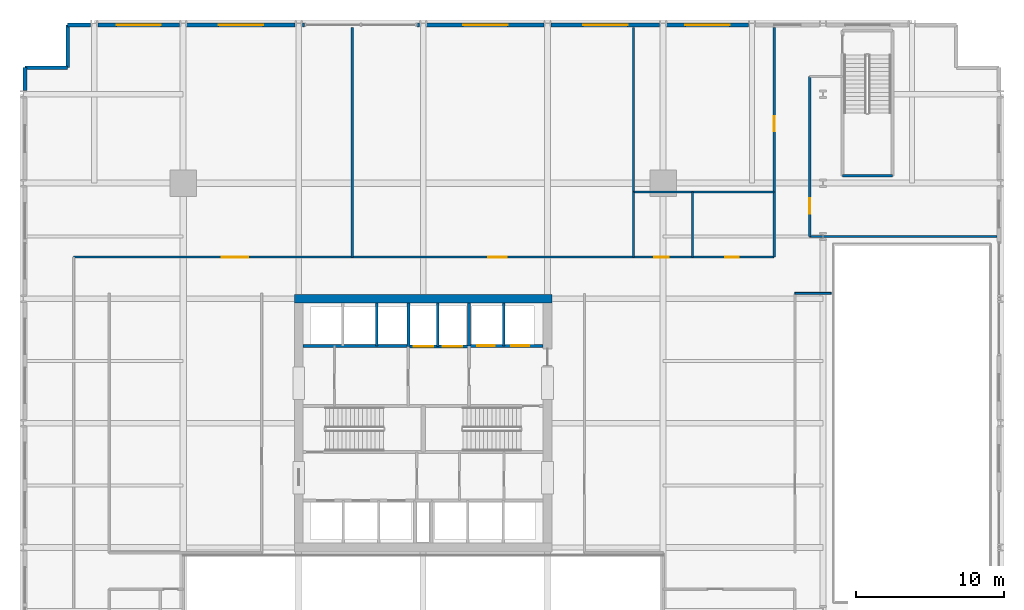
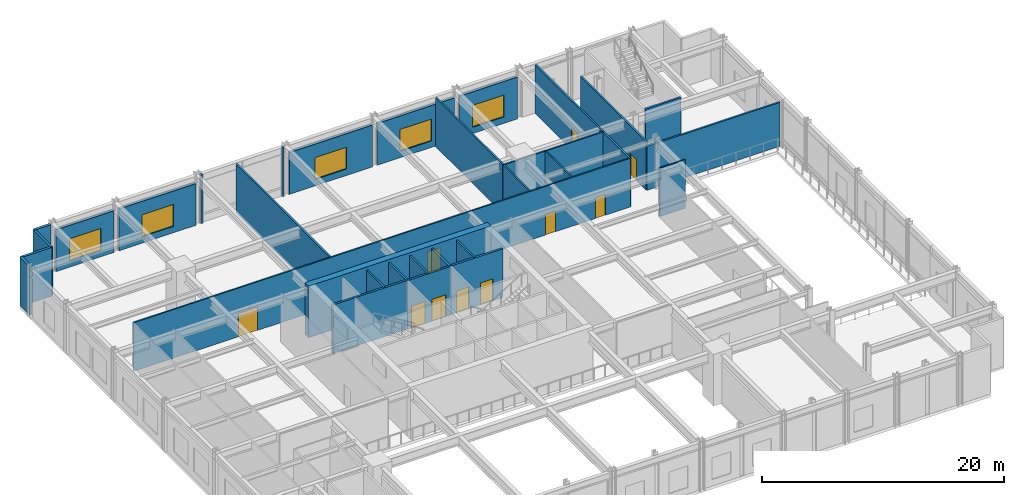
# One storey, part 13 of 19: 31 walls, 10 doors, 5 windows, 15 openings.
"""IFC4 building model written with IfcOpenShell, lengths in metres."""

from ifc_helpers import new_model, si_unit, direction, frame, frame_2d, origin, place, context, subcontext, project, spatial, rectangle, extrude, material, layer, layer_set, type_object, element, fill, save


model = new_model("IFC4")

# Units and contexts
model_context = context("Model", 3, precision=1e-05, world=origin(), true_north=direction((0.0, 1.0)))
body_context = subcontext(model_context, "Body", "Model", "MODEL_VIEW")
ifc_project = project(units=[si_unit("LENGTHUNIT", "METRE"), si_unit("AREAUNIT", "SQUARE_METRE"), si_unit("VOLUMEUNIT", "CUBIC_METRE"), si_unit("PLANEANGLEUNIT", "RADIAN"), si_unit("MASSUNIT", "GRAM", prefix="KILO")], contexts=[model_context])

# Site, building, storey
site_placement = place(None, origin())
site = spatial("IfcSite", under=ifc_project, at=site_placement, CompositionType="ELEMENT")
building_placement = place(site_placement, origin())
building = spatial("IfcBuilding", under=site, at=building_placement, Name="Drelvath Grand Hotel", CompositionType="ELEMENT")
storey_placement = place(building_placement, frame((0.0, 0.0, 17.199951171875)))
storey = spatial("IfcBuildingStorey", under=building, at=storey_placement, Name="L03", CompositionType="ELEMENT", Elevation=17.199951171875)

# Wall, openings, doors
ifc_material_1 = material(Name="Concrete C40/50", Category="concrete")
ifc_layer_1 = layer(ifc_material_1, 0.199951171875)
ifc_layer_set_1 = layer_set([ifc_layer_1], Name="Concrete C40/50")
wall_type_1 = type_object("IfcWallType", Name="Core Hoistway Fire Wall 200", PredefinedType="SOLIDWALL", material=ifc_layer_set_1)
wall_1_placement = place(storey_placement, frame((3.10009765625, 32.219970703125, 0.0), z_axis=(0.0, 0.0, 1.0), x_axis=(1.0, 0.0, 0.0)))
wall_1 = element("IfcWall", 1, at=wall_1_placement, inside=storey, type_object=wall_type_1, Name="L03 FSAE Hoistway Front Wall", PredefinedType="SOLIDWALL", context=body_context, shape_type="SweptSolid", body=[
    extrude(rectangle(XDim=5.0, YDim=0.199951171875, at=frame_2d((2.5, 0.0))), origin(), (0.0, 0.0, 1.0), 4.900146484375),
])
opening_1_placement = place(wall_1_placement, frame((0.550048828125, 0.0, 0.0)))
opening_1 = element("IfcOpeningElement", 2, at=opening_1_placement, cuts=wall_1, Name="Opening LD-FSAE-1", PredefinedType="OPENING", context=body_context, shape_type="SweptSolid", body=[
    extrude(rectangle(XDim=1.199951171875, YDim=2.199951171875, at=frame_2d((0.60009765625, 1.10009765625))), frame((0.0, 0.10986328125, 0.0), z_axis=(0.0, -1.0, 0.0), x_axis=(1.0, 0.0, 0.0)), (0.0, 0.0, 1.0), 0.219970703125),
])
opening_2_placement = place(wall_1_placement, frame((2.85009765625, 0.0, 0.0)))
opening_2 = element("IfcOpeningElement", 3, at=opening_2_placement, cuts=wall_1, Name="Opening LD-FSAE-2", PredefinedType="OPENING", context=body_context, shape_type="SweptSolid", body=[
    extrude(rectangle(XDim=1.199951171875, YDim=2.199951171875, at=frame_2d((0.60009765625, 1.10009765625))), frame((0.0, 0.10986328125, 0.0), z_axis=(0.0, -1.0, 0.0), x_axis=(1.0, 0.0, 0.0)), (0.0, 0.0, 1.0), 0.219970703125),
])
ifc_material_2 = material(Name="Stainless Steel S355", Category="steel")
door_type_1 = type_object("IfcDoorType", Name="FSAE Lift Sliding Landing Door 1200x2200", OperationType="NOTDEFINED", PredefinedType="DOOR", material=ifc_material_2)
door_1_placement = place(opening_1_placement, origin())
door_1 = element("IfcDoor", 4, at=door_1_placement, inside=storey, type_object=door_type_1, Name="L03 Lift FSAE-1 Landing Door", OperationType="SLIDING_TO_LEFT", OverallHeight=2.199951171875, OverallWidth=1.199951171875, PredefinedType="DOOR", context=body_context, shape_type="SweptSolid", body=[
    extrude(rectangle(XDim=1.199951171875, YDim=2.199951171875, at=frame_2d((0.60009765625, 1.10009765625))), frame((0.0, 0.02490234375, 0.0), z_axis=(0.0, -1.0, 0.0), x_axis=(1.0, 0.0, 0.0)), (0.0, 0.0, 1.0), 0.050048828125),
])
fill(opening_1, door_1)
door_2_placement = place(opening_2_placement, origin())
door_2 = element("IfcDoor", 5, at=door_2_placement, inside=storey, type_object=door_type_1, Name="L03 Lift FSAE-2 Landing Door", OperationType="SLIDING_TO_LEFT", OverallHeight=2.199951171875, OverallWidth=1.199951171875, PredefinedType="DOOR", context=body_context, shape_type="SweptSolid", body=[
    extrude(rectangle(XDim=1.199951171875, YDim=2.199951171875, at=frame_2d((0.60009765625, 1.10009765625))), frame((0.0, 0.02490234375, 0.0), z_axis=(0.0, -1.0, 0.0), x_axis=(1.0, 0.0, 0.0)), (0.0, 0.0, 1.0), 0.050048828125),
])
fill(opening_2, door_2)

# Wall
wall_2_placement = place(storey_placement, frame((3.10009765625, 32.219970703125, 0.0), z_axis=(0.0, 0.0, 1.0), x_axis=(0.0, 1.0, 0.0)))
element("IfcWall", 6, at=wall_2_placement, inside=storey, type_object=wall_type_1, Name="L03 FSAE Hoistway West Wall", PredefinedType="SOLIDWALL", context=body_context, shape_type="SweptSolid", body=[
    extrude(rectangle(XDim=2.880126953125, YDim=0.199951171875, at=frame_2d((1.43994140625, 0.0))), origin(), (0.0, 0.0, 1.0), 4.900146484375),
])

# Wall, openings, doors
wall_3_placement = place(storey_placement, frame((-1.0, 32.179931640625, 0.0), z_axis=(0.0, 0.0, 1.0), x_axis=(1.0, 0.0, 0.0)))
wall_3 = element("IfcWall", 7, at=wall_3_placement, inside=storey, type_object=wall_type_1, Name="L03 Service Lift Hoistway Wall", PredefinedType="SOLIDWALL", context=body_context, shape_type="SweptSolid", body=[
    extrude(rectangle(XDim=4.10009765625, YDim=0.199951171875, at=frame_2d((2.050048828125, 0.0))), origin(), (0.0, 0.0, 1.0), 4.900146484375),
])
opening_3_placement = place(wall_3_placement, frame((0.3701171875, 0.0, 0.0)))
opening_3 = element("IfcOpeningElement", 8, at=opening_3_placement, cuts=wall_3, Name="Opening LD-SV-2", PredefinedType="OPENING", context=body_context, shape_type="SweptSolid", body=[
    extrude(rectangle(XDim=1.300048828125, YDim=2.199951171875, at=frame_2d((0.64990234375, 1.10009765625))), frame((0.0, 0.10986328125, 0.0), z_axis=(0.0, -1.0, 0.0), x_axis=(1.0, 0.0, 0.0)), (0.0, 0.0, 1.0), 0.219970703125),
])
opening_4_placement = place(wall_3_placement, frame((2.330078125, 0.0, 0.0)))
opening_4 = element("IfcOpeningElement", 9, at=opening_4_placement, cuts=wall_3, Name="Opening LD-SV-1", PredefinedType="OPENING", context=body_context, shape_type="SweptSolid", body=[
    extrude(rectangle(XDim=1.300048828125, YDim=2.199951171875, at=frame_2d((0.64990234375, 1.10009765625))), frame((0.0, 0.10986328125, 0.0), z_axis=(0.0, -1.0, 0.0), x_axis=(1.0, 0.0, 0.0)), (0.0, 0.0, 1.0), 0.219970703125),
])
door_type_2 = type_object("IfcDoorType", Name="Service Lift Sliding Landing Door 1300x2200", OperationType="NOTDEFINED", PredefinedType="DOOR", material=ifc_material_2)
door_3_placement = place(opening_3_placement, origin())
door_3 = element("IfcDoor", 10, at=door_3_placement, inside=storey, type_object=door_type_2, Name="L03 Lift SV-2 Landing Door", OperationType="SLIDING_TO_LEFT", OverallHeight=2.199951171875, OverallWidth=1.300048828125, PredefinedType="DOOR", context=body_context, shape_type="SweptSolid", body=[
    extrude(rectangle(XDim=1.300048828125, YDim=2.199951171875, at=frame_2d((0.64990234375, 1.10009765625))), frame((0.0, 0.02490234375, 0.0), z_axis=(0.0, -1.0, 0.0), x_axis=(1.0, 0.0, 0.0)), (0.0, 0.0, 1.0), 0.050048828125),
])
fill(opening_3, door_3)
door_4_placement = place(opening_4_placement, origin())
door_4 = element("IfcDoor", 11, at=door_4_placement, inside=storey, type_object=door_type_2, Name="L03 Lift SV-1 Landing Door", OperationType="SLIDING_TO_LEFT", OverallHeight=2.199951171875, OverallWidth=1.300048828125, PredefinedType="DOOR", context=body_context, shape_type="SweptSolid", body=[
    extrude(rectangle(XDim=1.300048828125, YDim=2.199951171875, at=frame_2d((0.64990234375, 1.10009765625))), frame((0.0, 0.02490234375, 0.0), z_axis=(0.0, -1.0, 0.0), x_axis=(1.0, 0.0, 0.0)), (0.0, 0.0, 1.0), 0.050048828125),
])
fill(opening_4, door_4)

# Walls
wall_4_placement = place(storey_placement, frame((-1.0, 32.179931640625, 0.0), z_axis=(0.0, 0.0, 1.0), x_axis=(0.0, 1.0, 0.0)))
element("IfcWall", 12, at=wall_4_placement, inside=storey, type_object=wall_type_1, Name="L03 Service Lift West Wall", PredefinedType="SOLIDWALL", context=body_context, shape_type="SweptSolid", body=[
    extrude(rectangle(XDim=2.920166015625, YDim=0.199951171875, at=frame_2d((1.4599609375, 0.0))), origin(), (0.0, 0.0, 1.0), 4.900146484375),
])
wall_5_placement = place(storey_placement, frame((-8.10009765625, 32.219970703125, 0.0), z_axis=(0.0, 0.0, 1.0), x_axis=(1.0, 0.0, 0.0)))
element("IfcWall", 13, at=wall_5_placement, inside=storey, type_object=wall_type_1, Name="L03 Bank 3 Hoistway Wall", PredefinedType="SOLIDWALL", context=body_context, shape_type="SweptSolid", body=[
    extrude(rectangle(XDim=7.10009765625, YDim=0.199951171875, at=frame_2d((3.550048828125, 0.0))), origin(), (0.0, 0.0, 1.0), 4.900146484375),
])
ifc_layer_2 = layer(ifc_material_1, 0.199951171875)
ifc_layer_set_2 = layer_set([ifc_layer_2], Name="Concrete C40/50")
wall_type_2 = type_object("IfcWallType", Name="Core Shaft Fire Wall 200", PredefinedType="SOLIDWALL", material=ifc_layer_set_2)
wall_6_placement = place(storey_placement, frame((28.320068359375, 43.699951171875, 0.0), z_axis=(0.0, 0.0, 1.0), x_axis=(1.0, 0.0, 0.0)))
element("IfcWall", 14, at=wall_6_placement, inside=storey, type_object=wall_type_2, Name="L03 Stair ST-4 South Wall", PredefinedType="SOLIDWALL", context=body_context, shape_type="SweptSolid", body=[
    extrude(rectangle(XDim=3.35986328125, YDim=0.199951171875, at=frame_2d((1.679931640625, 0.0))), origin(), (0.0, 0.0, 1.0), 4.900146484375),
])
ifc_material_3 = material(Name="Gypsum Fireboard Partition")
ifc_layer_3 = layer(ifc_material_3, 0.1650390625)
ifc_layer_set_3 = layer_set([ifc_layer_3], Name="Gypsum Fireboard Partition")
wall_type_3 = type_object("IfcWallType", Name="Core Shaft Partition 165", PredefinedType="PARTITIONING", material=ifc_layer_set_3)
wall_7_placement = place(storey_placement, frame((5.449951171875, 32.219970703125, 0.0), z_axis=(0.0, 0.0, 1.0), x_axis=(0.0, 1.0, 0.0)))
element("IfcWall", 15, at=wall_7_placement, inside=storey, type_object=wall_type_3, Name="L03 FSAE Hoistway Divider", PredefinedType="PARTITIONING", context=body_context, shape_type="SweptSolid", body=[
    extrude(rectangle(XDim=2.880126953125, YDim=0.1650390625, at=frame_2d((1.43994140625, 0.0))), origin(), (0.0, 0.0, 1.0), 4.900146484375),
])
wall_8_placement = place(storey_placement, frame((1.0, 32.179931640625, 0.0), z_axis=(0.0, 0.0, 1.0), x_axis=(0.0, 1.0, 0.0)))
element("IfcWall", 16, at=wall_8_placement, inside=storey, type_object=wall_type_3, Name="L03 Service Lift Divider", PredefinedType="PARTITIONING", context=body_context, shape_type="SweptSolid", body=[
    extrude(rectangle(XDim=2.920166015625, YDim=0.1650390625, at=frame_2d((1.4599609375, 0.0))), origin(), (0.0, 0.0, 1.0), 4.900146484375),
])
wall_9_placement = place(storey_placement, frame((-3.1201171875, 32.219970703125, 0.0), z_axis=(0.0, 0.0, 1.0), x_axis=(0.0, 1.0, 0.0)))
element("IfcWall", 17, at=wall_9_placement, inside=storey, type_object=wall_type_3, Name="L03 Lift PE-8/9 Divider", PredefinedType="PARTITIONING", context=body_context, shape_type="SweptSolid", body=[
    extrude(rectangle(XDim=2.880126953125, YDim=0.1650390625, at=frame_2d((1.43994140625, 0.0))), origin(), (0.0, 0.0, 1.0), 4.900146484375),
])

# Wall, openings, doors
ifc_layer_4 = layer(ifc_material_3, 0.135009765625)
ifc_layer_set_4 = layer_set([ifc_layer_4], Name="Gypsum Fireboard Partition")
wall_type_4 = type_object("IfcWallType", Name="Corridor Fire Barrier Wall 135", PredefinedType="PARTITIONING", material=ifc_layer_set_4)
wall_10_placement = place(storey_placement, frame((-23.60009765625, 38.199951171875, 0.0), z_axis=(0.0, 0.0, 1.0), x_axis=(1.0, 0.0, 0.0)))
wall_10 = element("IfcWall", 18, at=wall_10_placement, inside=storey, type_object=wall_type_4, Name="L03 North Gallery Wall", PredefinedType="PARTITIONING", context=body_context, shape_type="SweptSolid", body=[
    extrude(rectangle(XDim=47.300048828125, YDim=0.135009765625, at=frame_2d((23.64990234375, 0.0))), origin(), (0.0, 0.0, 1.0), 4.900146484375),
])
opening_5_placement = place(wall_10_placement, frame((39.199951171875, 0.0, 0.0)))
opening_5 = element("IfcOpeningElement", 19, at=opening_5_placement, cuts=wall_10, Name="Opening D-L03-021", PredefinedType="OPENING", context=body_context, shape_type="SweptSolid", body=[
    extrude(rectangle(XDim=0.97998046875, YDim=2.10009765625, at=frame_2d((0.489990234375, 1.050048828125))), frame((0.0, 0.077392578125, 0.0), z_axis=(0.0, -1.0, 0.0), x_axis=(1.0, 0.0, 0.0)), (0.0, 0.0, 1.0), 0.155029296875),
])
opening_6_placement = place(wall_10_placement, frame((44.0, 0.0, 0.0)))
opening_6 = element("IfcOpeningElement", 20, at=opening_6_placement, cuts=wall_10, Name="Opening D-L03-022", PredefinedType="OPENING", context=body_context, shape_type="SweptSolid", body=[
    extrude(rectangle(XDim=0.919921875, YDim=2.10009765625, at=frame_2d((0.4599609375, 1.050048828125))), frame((0.0, 0.077392578125, 0.0), z_axis=(0.0, -1.0, 0.0), x_axis=(1.0, 0.0, 0.0)), (0.0, 0.0, 1.0), 0.155029296875),
])
opening_7_placement = place(wall_10_placement, frame((10.0, 0.0, 0.0)))
opening_7 = element("IfcOpeningElement", 21, at=opening_7_placement, cuts=wall_10, Name="Opening D-L03-027", PredefinedType="OPENING", context=body_context, shape_type="SweptSolid", body=[
    extrude(rectangle(XDim=1.800048828125, YDim=2.35009765625, at=frame_2d((0.89990234375, 1.175048828125))), frame((0.0, 0.077392578125, 0.0), z_axis=(0.0, -1.0, 0.0), x_axis=(1.0, 0.0, 0.0)), (0.0, 0.0, 1.0), 0.155029296875),
])
opening_8_placement = place(wall_10_placement, frame((28.0, 0.0, 0.0)))
opening_8 = element("IfcOpeningElement", 22, at=opening_8_placement, cuts=wall_10, Name="Opening D-L03-028", PredefinedType="OPENING", context=body_context, shape_type="SweptSolid", body=[
    extrude(rectangle(XDim=1.260009765625, YDim=2.199951171875, at=frame_2d((0.6298828125, 1.10009765625))), frame((0.0, 0.077392578125, 0.0), z_axis=(0.0, -1.0, 0.0), x_axis=(1.0, 0.0, 0.0)), (0.0, 0.0, 1.0), 0.155029296875),
])
ifc_material_4 = material(Name="Hardwood Walnut Timber", Category="wood")
door_type_3 = type_object("IfcDoorType", Name="Accessible WC Door 980x2100", OperationType="NOTDEFINED", PredefinedType="DOOR", material=ifc_material_4)
door_5_placement = place(opening_5_placement, origin())
door_5 = element("IfcDoor", 23, at=door_5_placement, inside=storey, type_object=door_type_3, Name="L03 Accessible WC Door", OperationType="SINGLE_SWING_RIGHT", OverallHeight=2.10009765625, OverallWidth=0.97998046875, PredefinedType="DOOR", context=body_context, shape_type="SweptSolid", body=[
    extrude(rectangle(XDim=0.97998046875, YDim=2.10009765625, at=frame_2d((0.489990234375, 1.050048828125))), frame((0.0, 0.02490234375, 0.0), z_axis=(0.0, -1.0, 0.0), x_axis=(1.0, 0.0, 0.0)), (0.0, 0.0, 1.0), 0.050048828125),
])
fill(opening_5, door_5)
ifc_material_5 = material(Name="Hardwood Bronze-Clad Timber", Category="wood")
door_type_4 = type_object("IfcDoorType", Name="Assembly Double Fire Door 1800x2350", OperationType="NOTDEFINED", PredefinedType="DOOR", material=ifc_material_5)
door_6_placement = place(opening_7_placement, origin())
door_6 = element("IfcDoor", 24, at=door_6_placement, inside=storey, type_object=door_type_4, Name="L03 Junior Ballroom Door", OperationType="DOUBLE_DOOR_SINGLE_SWING", OverallHeight=2.35009765625, OverallWidth=1.800048828125, PredefinedType="DOOR", context=body_context, shape_type="SweptSolid", body=[
    extrude(rectangle(XDim=1.800048828125, YDim=2.35009765625, at=frame_2d((0.89990234375, 1.175048828125))), frame((0.0, 0.02490234375, 0.0), z_axis=(0.0, -1.0, 0.0), x_axis=(1.0, 0.0, 0.0)), (0.0, 0.0, 1.0), 0.050048828125),
])
fill(opening_7, door_6)
ifc_material_6 = material(Name="Painted Steel S275", Category="steel")
door_type_5 = type_object("IfcDoorType", Name="Staff Utility Door 920x2100", OperationType="NOTDEFINED", PredefinedType="DOOR", material=ifc_material_6)
door_7_placement = place(opening_6_placement, origin())
door_7 = element("IfcDoor", 25, at=door_7_placement, inside=storey, type_object=door_type_5, Name="L03 Public Restroom Door", OperationType="SINGLE_SWING_LEFT", OverallHeight=2.10009765625, OverallWidth=0.919921875, PredefinedType="DOOR", context=body_context, shape_type="SweptSolid", body=[
    extrude(rectangle(XDim=0.919921875, YDim=2.10009765625, at=frame_2d((0.4599609375, 1.050048828125))), frame((0.0, 0.02490234375, 0.0), z_axis=(0.0, -1.0, 0.0), x_axis=(1.0, 0.0, 0.0)), (0.0, 0.0, 1.0), 0.050048828125),
])
fill(opening_6, door_7)
door_type_6 = type_object("IfcDoorType", Name="Suite Entrance Fire Door 1260x2200", OperationType="NOTDEFINED", PredefinedType="DOOR", material=ifc_material_4)
door_8_placement = place(opening_8_placement, origin())
door_8 = element("IfcDoor", 26, at=door_8_placement, inside=storey, type_object=door_type_6, Name="L03 Conference Room Door", OperationType="SINGLE_SWING_RIGHT", OverallHeight=2.199951171875, OverallWidth=1.260009765625, PredefinedType="DOOR", context=body_context, shape_type="SweptSolid", body=[
    extrude(rectangle(XDim=1.260009765625, YDim=2.199951171875, at=frame_2d((0.6298828125, 1.10009765625))), frame((0.0, 0.02490234375, 0.0), z_axis=(0.0, -1.0, 0.0), x_axis=(1.0, 0.0, 0.0)), (0.0, 0.0, 1.0), 0.050048828125),
])
fill(opening_8, door_8)

# Walls
wall_11_placement = place(storey_placement, frame((25.10009765625, 35.760009765625, 0.0), z_axis=(0.0, 0.0, 1.0), x_axis=(1.0, 0.0, 0.0)))
element("IfcWall", 27, at=wall_11_placement, inside=storey, type_object=wall_type_4, Name="L03 NE Atrium Promenade Return", PredefinedType="PARTITIONING", context=body_context, shape_type="SweptSolid", body=[
    extrude(rectangle(XDim=2.449951171875, YDim=0.135009765625, at=frame_2d((1.22509765625, 0.0))), origin(), (0.0, 0.0, 1.0), 4.900146484375),
])
ifc_material_7 = material(Name="Moisture-Resistant Gypsum Board")
ifc_layer_5 = layer(ifc_material_7, 0.139892578125)
ifc_layer_set_5 = layer_set([ifc_layer_5], Name="Moisture-Resistant Gypsum Board")
wall_type_5 = type_object("IfcWallType", Name="En-Suite Plumbing Wall 140", PredefinedType="PLUMBINGWALL", material=ifc_layer_set_5)
for number, where, z_axis, x_axis, name in (
    (28, (14.199951171875, 38.199951171875, 0.0), (0.0, 0.0, 1.0), (0.0, 1.0, 0.0), "L03 Restroom West Wall"),
    (29, (18.199951171875, 38.199951171875, 0.0), (0.0, 0.0, 1.0), (0.0, 1.0, 0.0), "L03 Restroom Split Wall"),
):
    element("IfcWall", number, at=place(storey_placement, frame(where, z_axis=z_axis, x_axis=x_axis)), inside=storey, type_object=wall_type_5, Name=name, PredefinedType="PLUMBINGWALL", context=body_context, shape_type="SweptSolid", body=[
        extrude(rectangle(XDim=4.400146484375, YDim=0.139892578125, at=frame_2d((2.2001953125, 0.0))), origin(), (0.0, 0.0, 1.0), 4.900146484375),
    ])
wall_12_placement = place(storey_placement, frame((14.199951171875, 42.60009765625, 0.0), z_axis=(0.0, 0.0, 1.0), x_axis=(1.0, 0.0, 0.0)))
element("IfcWall", 30, at=wall_12_placement, inside=storey, type_object=wall_type_5, Name="L03 Restroom North Back Wall", PredefinedType="PLUMBINGWALL", context=body_context, shape_type="SweptSolid", body=[
    extrude(rectangle(XDim=9.5, YDim=0.139892578125, at=frame_2d((4.75, 0.0))), origin(), (0.0, 0.0, 1.0), 4.900146484375),
])
ifc_material_8 = material(Name="Gypsum Acoustic Partition")
ifc_layer_6 = layer(ifc_material_8, 0.14990234375)
ifc_layer_set_6 = layer_set([ifc_layer_6], Name="Gypsum Acoustic Partition")
wall_type_6 = type_object("IfcWallType", Name="Guestroom Demising Wall 150", PredefinedType="PARTITIONING", material=ifc_layer_set_6)
wall_13_placement = place(storey_placement, frame((14.199951171875, 42.60009765625, 0.0), z_axis=(0.0, 0.0, 1.0), x_axis=(0.0, 1.0, 0.0)))
element("IfcWall", 31, at=wall_13_placement, inside=storey, type_object=wall_type_6, Name="L03 North Corner Boardroom Wall", PredefinedType="PARTITIONING", context=body_context, shape_type="SweptSolid", body=[
    extrude(rectangle(XDim=11.099853515625, YDim=0.14990234375, at=frame_2d((5.5498046875, 0.0))), origin(), (0.0, 0.0, 1.0), 4.900146484375),
])
ifc_material_9 = material(Name="Concrete f'c 70 MPa", Category="concrete")
ifc_layer_7 = layer(ifc_material_9, 0.60009765625)
ifc_layer_set_7 = layer_set([ifc_layer_7], Name="Concrete f'c 70 MPa")
wall_type_7 = type_object("IfcWallType", Name="Lower Core RC Shear Wall 600", PredefinedType="SHEAR", material=ifc_layer_set_7)
wall_14_placement = place(storey_placement, frame((-8.699951171875, 35.39990234375, 0.0), z_axis=(0.0, 0.0, 1.0), x_axis=(1.0, 0.0, 0.0)))
element("IfcWall", 32, at=wall_14_placement, inside=storey, type_object=wall_type_7, Name="L03 Central Core Shear Wall N", PredefinedType="SHEAR", context=body_context, shape_type="SweptSolid", body=[
    extrude(rectangle(XDim=17.39990234375, YDim=0.60009765625, at=frame_2d((8.699951171875, 0.0))), origin(), (0.0, 0.0, 1.0), 5.199951171875),
])
ifc_material_10 = material(Name="Insulated Granite Rainscreen Assembly", Category="masonry")
ifc_layer_8 = layer(ifc_material_10, 0.239990234375)
ifc_layer_set_8 = layer_set([ifc_layer_8], Name="Insulated Granite Rainscreen Assembly")
wall_type_8 = type_object("IfcWallType", Name="Podium Granite Rainscreen Exterior Wall 240", PredefinedType="STANDARD", material=ifc_layer_set_8)
for number, where, z_axis, x_axis, name in (
    (33, (-26.8798828125, 49.44091796875, 0.0), (0.0, 0.0, 1.0), (0.0, 1.0, 0.0), "L03 West Podium Granite Wall 8"),
    (34, (-24.0, 53.8798828125, 0.0), (0.0, 0.0, 1.0), (1.0, 0.0, 0.0), "L03 North Podium Granite Wall 1"),
):
    element("IfcWall", number, at=place(storey_placement, frame(where, z_axis=z_axis, x_axis=x_axis)), inside=storey, type_object=wall_type_8, Name=name, PredefinedType="STANDARD", context=body_context, shape_type="SweptSolid", body=[
        extrude(rectangle(XDim=1.55908203125, YDim=0.239990234375, at=frame_2d((0.779541015625, 0.0))), origin(), (0.0, 0.0, 1.0), 4.900146484375),
    ])

# Wall, opening, window
wall_15_placement = place(storey_placement, frame((-21.958984375, 53.8798828125, 0.0), z_axis=(0.0, 0.0, 1.0), x_axis=(1.0, 0.0, 0.0)))
wall_15 = element("IfcWall", 35, at=wall_15_placement, inside=storey, type_object=wall_type_8, Name="L03 North Podium Granite Wall 2", PredefinedType="STANDARD", context=body_context, shape_type="SweptSolid", body=[
    extrude(rectangle(XDim=5.51806640625, YDim=0.239990234375, at=frame_2d((2.759033203125, 0.0))), origin(), (0.0, 0.0, 1.0), 4.20458984375),
])
opening_9_placement = place(wall_15_placement, frame((1.259033203125, 0.0, 0.64990234375)))
opening_9 = element("IfcOpeningElement", 36, at=opening_9_placement, cuts=wall_15, Name="Opening W-03", PredefinedType="OPENING", context=body_context, shape_type="SweptSolid", body=[
    extrude(rectangle(XDim=3.0, YDim=2.199951171875, at=frame_2d((1.5, 1.10009765625))), frame((0.0, 0.1298828125, 0.0), z_axis=(0.0, -1.0, 0.0), x_axis=(1.0, 0.0, 0.0)), (0.0, 0.0, 1.0), 0.260009765625),
])
ifc_material_11 = material(Name="Bronze Anodised Low-E Triple Glazing", Category="glass")
window_type = type_object("IfcWindowType", Name="Podium Clerestory Ribbon Window 3000x2200", PartitioningType="TRIPLE_PANEL_VERTICAL", PredefinedType="WINDOW", material=ifc_material_11)
window_1_placement = place(opening_9_placement, origin())
window_1 = element("IfcWindow", 37, at=window_1_placement, inside=storey, type_object=window_type, Name="L03 North Chicago Window 2", OverallHeight=2.199951171875, OverallWidth=3.0, PartitioningType="SINGLE_PANEL", PredefinedType="WINDOW", context=body_context, shape_type="SweptSolid", body=[
    extrude(rectangle(XDim=3.0, YDim=2.199951171875, at=frame_2d((1.5, 1.10009765625))), frame((0.0, 0.030029296875, 0.0), z_axis=(0.0, -1.0, 0.0), x_axis=(1.0, 0.0, 0.0)), (0.0, 0.0, 1.0), 0.06005859375),
])
fill(opening_9, window_1)

wall_16_placement = place(storey_placement, frame((-15.958984375, 53.8798828125, 0.0), z_axis=(0.0, 0.0, 1.0), x_axis=(1.0, 0.0, 0.0)))
wall_16 = element("IfcWall", 38, at=wall_16_placement, inside=storey, type_object=wall_type_8, Name="L03 North Podium Granite Wall 3", PredefinedType="STANDARD", context=body_context, shape_type="SweptSolid", body=[
    extrude(rectangle(XDim=7.318115234375, YDim=0.239990234375, at=frame_2d((3.6591796875, 0.0))), origin(), (0.0, 0.0, 1.0), 4.20458984375),
])
opening_10_placement = place(wall_16_placement, frame((2.1591796875, 0.0, 0.64990234375)))
opening_10 = element("IfcOpeningElement", 39, at=opening_10_placement, cuts=wall_16, Name="Opening W-03", PredefinedType="OPENING", context=body_context, shape_type="SweptSolid", body=[
    extrude(rectangle(XDim=3.0, YDim=2.199951171875, at=frame_2d((1.5, 1.10009765625))), frame((0.0, 0.1298828125, 0.0), z_axis=(0.0, -1.0, 0.0), x_axis=(1.0, 0.0, 0.0)), (0.0, 0.0, 1.0), 0.260009765625),
])
window_2_placement = place(opening_10_placement, origin())
window_2 = element("IfcWindow", 40, at=window_2_placement, inside=storey, type_object=window_type, Name="L03 North Chicago Window 3", OverallHeight=2.199951171875, OverallWidth=3.0, PartitioningType="SINGLE_PANEL", PredefinedType="WINDOW", context=body_context, shape_type="SweptSolid", body=[
    extrude(rectangle(XDim=3.0, YDim=2.199951171875, at=frame_2d((1.5, 1.10009765625))), frame((0.0, 0.030029296875, 0.0), z_axis=(0.0, -1.0, 0.0), x_axis=(1.0, 0.0, 0.0)), (0.0, 0.0, 1.0), 0.06005859375),
])
fill(opening_10, window_2)

# Walls
wall_17_placement = place(storey_placement, frame((-8.1591796875, 53.8798828125, 0.0), z_axis=(0.0, 0.0, 1.0), x_axis=(1.0, 0.0, 0.0)))
element("IfcWall", 41, at=wall_17_placement, inside=storey, type_object=wall_type_8, Name="L03 North Podium Granite Wall 4", PredefinedType="STANDARD", context=body_context, shape_type="SweptSolid", body=[
    extrude(rectangle(XDim=0.1591796875, YDim=0.239990234375, at=frame_2d((0.07958984375, 0.0))), origin(), (0.0, 0.0, 1.0), 4.900146484375),
])
wall_18_placement = place(storey_placement, frame((-0.39990234375, 53.8798828125, 0.0), z_axis=(0.0, 0.0, 1.0), x_axis=(1.0, 0.0, 0.0)))
element("IfcWall", 42, at=wall_18_placement, inside=storey, type_object=wall_type_8, Name="L03 North Podium Granite Wall 5", PredefinedType="STANDARD", context=body_context, shape_type="SweptSolid", body=[
    extrude(rectangle(XDim=0.158935546875, YDim=0.239990234375, at=frame_2d((0.07958984375, 0.0))), origin(), (0.0, 0.0, 1.0), 4.900146484375),
])

# Wall, opening, window
wall_19_placement = place(storey_placement, frame((0.240966796875, 53.8798828125, 0.0), z_axis=(0.0, 0.0, 1.0), x_axis=(1.0, 0.0, 0.0)))
wall_19 = element("IfcWall", 43, at=wall_19_placement, inside=storey, type_object=wall_type_8, Name="L03 North Podium Granite Wall 6", PredefinedType="STANDARD", context=body_context, shape_type="SweptSolid", body=[
    extrude(rectangle(XDim=7.918212890625, YDim=0.239990234375, at=frame_2d((3.958984375, 0.0))), origin(), (0.0, 0.0, 1.0), 4.20458984375),
])
opening_11_placement = place(wall_19_placement, frame((2.458984375, 0.0, 0.64990234375)))
opening_11 = element("IfcOpeningElement", 44, at=opening_11_placement, cuts=wall_19, Name="Opening W-03", PredefinedType="OPENING", context=body_context, shape_type="SweptSolid", body=[
    extrude(rectangle(XDim=3.0, YDim=2.199951171875, at=frame_2d((1.5, 1.10009765625))), frame((0.0, 0.1298828125, 0.0), z_axis=(0.0, -1.0, 0.0), x_axis=(1.0, 0.0, 0.0)), (0.0, 0.0, 1.0), 0.260009765625),
])
window_3_placement = place(opening_11_placement, origin())
window_3 = element("IfcWindow", 45, at=window_3_placement, inside=storey, type_object=window_type, Name="L03 North Chicago Window 6", OverallHeight=2.199951171875, OverallWidth=3.0, PartitioningType="SINGLE_PANEL", PredefinedType="WINDOW", context=body_context, shape_type="SweptSolid", body=[
    extrude(rectangle(XDim=3.0, YDim=2.199951171875, at=frame_2d((1.5, 1.10009765625))), frame((0.0, 0.030029296875, 0.0), z_axis=(0.0, -1.0, 0.0), x_axis=(1.0, 0.0, 0.0)), (0.0, 0.0, 1.0), 0.06005859375),
])
fill(opening_11, window_3)

wall_20_placement = place(storey_placement, frame((8.640869140625, 53.8798828125, 0.0), z_axis=(0.0, 0.0, 1.0), x_axis=(1.0, 0.0, 0.0)))
wall_20 = element("IfcWall", 46, at=wall_20_placement, inside=storey, type_object=wall_type_8, Name="L03 North Podium Granite Wall 7", PredefinedType="STANDARD", context=body_context, shape_type="SweptSolid", body=[
    extrude(rectangle(XDim=7.318115234375, YDim=0.239990234375, at=frame_2d((3.6591796875, 0.0))), origin(), (0.0, 0.0, 1.0), 4.20458984375),
])
opening_12_placement = place(wall_20_placement, frame((2.1591796875, 0.0, 0.64990234375)))
opening_12 = element("IfcOpeningElement", 47, at=opening_12_placement, cuts=wall_20, Name="Opening W-03", PredefinedType="OPENING", context=body_context, shape_type="SweptSolid", body=[
    extrude(rectangle(XDim=3.0, YDim=2.199951171875, at=frame_2d((1.5, 1.10009765625))), frame((0.0, 0.1298828125, 0.0), z_axis=(0.0, -1.0, 0.0), x_axis=(1.0, 0.0, 0.0)), (0.0, 0.0, 1.0), 0.260009765625),
])
window_4_placement = place(opening_12_placement, origin())
window_4 = element("IfcWindow", 48, at=window_4_placement, inside=storey, type_object=window_type, Name="L03 North Chicago Window 7", OverallHeight=2.199951171875, OverallWidth=3.0, PartitioningType="SINGLE_PANEL", PredefinedType="WINDOW", context=body_context, shape_type="SweptSolid", body=[
    extrude(rectangle(XDim=3.0, YDim=2.199951171875, at=frame_2d((1.5, 1.10009765625))), frame((0.0, 0.030029296875, 0.0), z_axis=(0.0, -1.0, 0.0), x_axis=(1.0, 0.0, 0.0)), (0.0, 0.0, 1.0), 0.06005859375),
])
fill(opening_12, window_4)

wall_21_placement = place(storey_placement, frame((16.44091796875, 53.8798828125, 0.0), z_axis=(0.0, 0.0, 1.0), x_axis=(1.0, 0.0, 0.0)))
wall_21 = element("IfcWall", 49, at=wall_21_placement, inside=storey, type_object=wall_type_8, Name="L03 North Podium Granite Wall 8", PredefinedType="STANDARD", context=body_context, shape_type="SweptSolid", body=[
    extrude(rectangle(XDim=5.51806640625, YDim=0.239990234375, at=frame_2d((2.759033203125, 0.0))), origin(), (0.0, 0.0, 1.0), 4.20458984375),
])
opening_13_placement = place(wall_21_placement, frame((1.259033203125, 0.0, 0.64990234375)))
opening_13 = element("IfcOpeningElement", 50, at=opening_13_placement, cuts=wall_21, Name="Opening W-03", PredefinedType="OPENING", context=body_context, shape_type="SweptSolid", body=[
    extrude(rectangle(XDim=3.0, YDim=2.199951171875, at=frame_2d((1.5, 1.10009765625))), frame((0.0, 0.1298828125, 0.0), z_axis=(0.0, -1.0, 0.0), x_axis=(1.0, 0.0, 0.0)), (0.0, 0.0, 1.0), 0.260009765625),
])
window_5_placement = place(opening_13_placement, origin())
window_5 = element("IfcWindow", 51, at=window_5_placement, inside=storey, type_object=window_type, Name="L03 North Chicago Window 8", OverallHeight=2.199951171875, OverallWidth=3.0, PartitioningType="SINGLE_PANEL", PredefinedType="WINDOW", context=body_context, shape_type="SweptSolid", body=[
    extrude(rectangle(XDim=3.0, YDim=2.199951171875, at=frame_2d((1.5, 1.10009765625))), frame((0.0, 0.030029296875, 0.0), z_axis=(0.0, -1.0, 0.0), x_axis=(1.0, 0.0, 0.0)), (0.0, 0.0, 1.0), 0.06005859375),
])
fill(opening_13, window_5)

# Walls
for number, where, z_axis, x_axis, name in (
    (52, (-26.8798828125, 51.0, 0.0), (0.0, 0.0, 1.0), (1.0, 0.0, 0.0), "L03 Podium Corner Return Wall CNW1"),
    (53, (-24.0, 51.0, 0.0), (0.0, 0.0, 1.0), (0.0, 1.0, 0.0), "L03 Podium Corner Return Wall CNW2"),
):
    element("IfcWall", number, at=place(storey_placement, frame(where, z_axis=z_axis, x_axis=x_axis)), inside=storey, type_object=wall_type_8, Name=name, PredefinedType="STANDARD", context=body_context, shape_type="SweptSolid", body=[
        extrude(rectangle(XDim=2.8798828125, YDim=0.239990234375, at=frame_2d((1.43994140625, 0.0))), origin(), (0.0, 0.0, 1.0), 4.900146484375),
    ])

# Wall, opening, door
ifc_layer_9 = layer(ifc_material_8, 0.1650390625)
ifc_layer_set_9 = layer_set([ifc_layer_9], Name="Gypsum Acoustic Partition")
wall_type_9 = type_object("IfcWallType", Name="Suite Demising Wall 165", PredefinedType="PARTITIONING", material=ifc_layer_set_9)
wall_22_placement = place(storey_placement, frame((23.699951171875, 38.199951171875, 0.0), z_axis=(0.0, 0.0, 1.0), x_axis=(0.0, 1.0, 0.0)))
wall_22 = element("IfcWall", 54, at=wall_22_placement, inside=storey, type_object=wall_type_9, Name="L03 ST-4 Spur Wall", PredefinedType="PARTITIONING", context=body_context, shape_type="SweptSolid", body=[
    extrude(rectangle(XDim=15.5, YDim=0.1650390625, at=frame_2d((7.75, 0.0))), origin(), (0.0, 0.0, 1.0), 4.900146484375),
])
opening_14_placement = place(wall_22_placement, frame((8.5, 0.0, 0.0)))
opening_14 = element("IfcOpeningElement", 55, at=opening_14_placement, cuts=wall_22, Name="Opening D-L03-020", PredefinedType="OPENING", context=body_context, shape_type="SweptSolid", body=[
    extrude(rectangle(XDim=1.02001953125, YDim=2.14990234375, at=frame_2d((0.510009765625, 1.074951171875))), frame((0.0, 0.092529296875, 0.0), z_axis=(0.0, -1.0, 0.0), x_axis=(1.0, 0.0, 0.0)), (0.0, 0.0, 1.0), 0.18505859375),
])
door_type_7 = type_object("IfcDoorType", Name="Amenity Meeting Fire Door 1020x2150", OperationType="NOTDEFINED", PredefinedType="DOOR", material=ifc_material_4)
door_9_placement = place(opening_14_placement, origin())
door_9 = element("IfcDoor", 56, at=door_9_placement, inside=storey, type_object=door_type_7, Name="L03 North Corner Boardroom Door", OperationType="SINGLE_SWING_LEFT", OverallHeight=2.14990234375, OverallWidth=1.02001953125, PredefinedType="DOOR", context=body_context, shape_type="SweptSolid", body=[
    extrude(rectangle(XDim=1.02001953125, YDim=2.14990234375, at=frame_2d((0.510009765625, 1.074951171875))), frame((0.0, 0.02490234375, 0.0), z_axis=(0.0, -1.0, 0.0), x_axis=(1.0, 0.0, 0.0)), (0.0, 0.0, 1.0), 0.050048828125),
])
fill(opening_14, door_9)

wall_23_placement = place(storey_placement, frame((26.10009765625, 39.60009765625, 0.0), z_axis=(0.0, 0.0, 1.0), x_axis=(0.0, 1.0, 0.0)))
wall_23 = element("IfcWall", 57, at=wall_23_placement, inside=storey, type_object=wall_type_9, Name="L03 ST-4 Spur East Wall", PredefinedType="PARTITIONING", context=body_context, shape_type="SweptSolid", body=[
    extrude(rectangle(XDim=10.7998046875, YDim=0.1650390625, at=frame_2d((5.39990234375, 0.0))), origin(), (0.0, 0.0, 1.0), 4.900146484375),
])
opening_15_placement = place(wall_23_placement, frame((1.550048828125, 0.0, 0.0)))
opening_15 = element("IfcOpeningElement", 58, at=opening_15_placement, cuts=wall_23, Name="Opening D-L03-024", PredefinedType="OPENING", context=body_context, shape_type="SweptSolid", body=[
    extrude(rectangle(XDim=1.02001953125, YDim=2.14990234375, at=frame_2d((0.510009765625, 1.074951171875))), frame((0.0, 0.092529296875, 0.0), z_axis=(0.0, -1.0, 0.0), x_axis=(1.0, 0.0, 0.0)), (0.0, 0.0, 1.0), 0.18505859375),
])
door_10_placement = place(opening_15_placement, origin())
door_10 = element("IfcDoor", 59, at=door_10_placement, inside=storey, type_object=door_type_7, Name="L03 NE Executive Office Door", OperationType="SINGLE_SWING_LEFT", OverallHeight=2.14990234375, OverallWidth=1.02001953125, PredefinedType="DOOR", context=body_context, shape_type="SweptSolid", body=[
    extrude(rectangle(XDim=1.02001953125, YDim=2.14990234375, at=frame_2d((0.510009765625, 1.074951171875))), frame((0.0, 0.02490234375, 0.0), z_axis=(0.0, -1.0, 0.0), x_axis=(1.0, 0.0, 0.0)), (0.0, 0.0, 1.0), 0.050048828125),
])
fill(opening_15, door_10)

# Walls
wall_24_placement = place(storey_placement, frame((26.10009765625, 39.60009765625, 0.0), z_axis=(0.0, 0.0, 1.0), x_axis=(1.0, 0.0, 0.0)))
element("IfcWall", 60, at=wall_24_placement, inside=storey, type_object=wall_type_9, Name="L03 NE Wing South Wall", PredefinedType="PARTITIONING", context=body_context, shape_type="SweptSolid", body=[
    extrude(rectangle(XDim=12.659912109375, YDim=0.1650390625, at=frame_2d((6.330078125, 0.0))), origin(), (0.0, 0.0, 1.0), 4.425048828125),
])
wall_25_placement = place(storey_placement, frame((-4.800048828125, 38.199951171875, 0.0), z_axis=(0.0, 0.0, 1.0), x_axis=(0.0, 1.0, 0.0)))
element("IfcWall", 61, at=wall_25_placement, inside=storey, type_object=wall_type_9, Name="L03 Junior Ballroom Split", PredefinedType="PARTITIONING", context=body_context, shape_type="SweptSolid", body=[
    extrude(rectangle(XDim=15.5, YDim=0.1650390625, at=frame_2d((7.75, 0.0))), origin(), (0.0, 0.0, 1.0), 4.900146484375),
])

save(model, "model.ifc")
